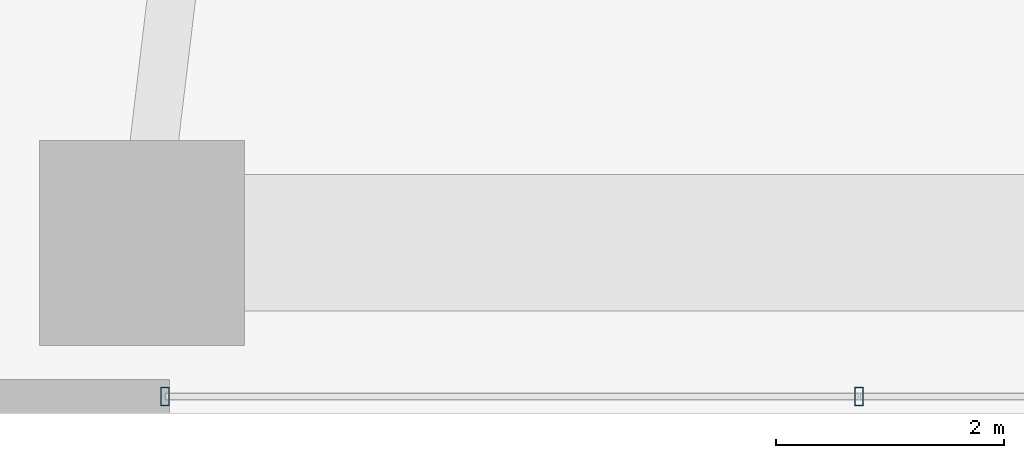
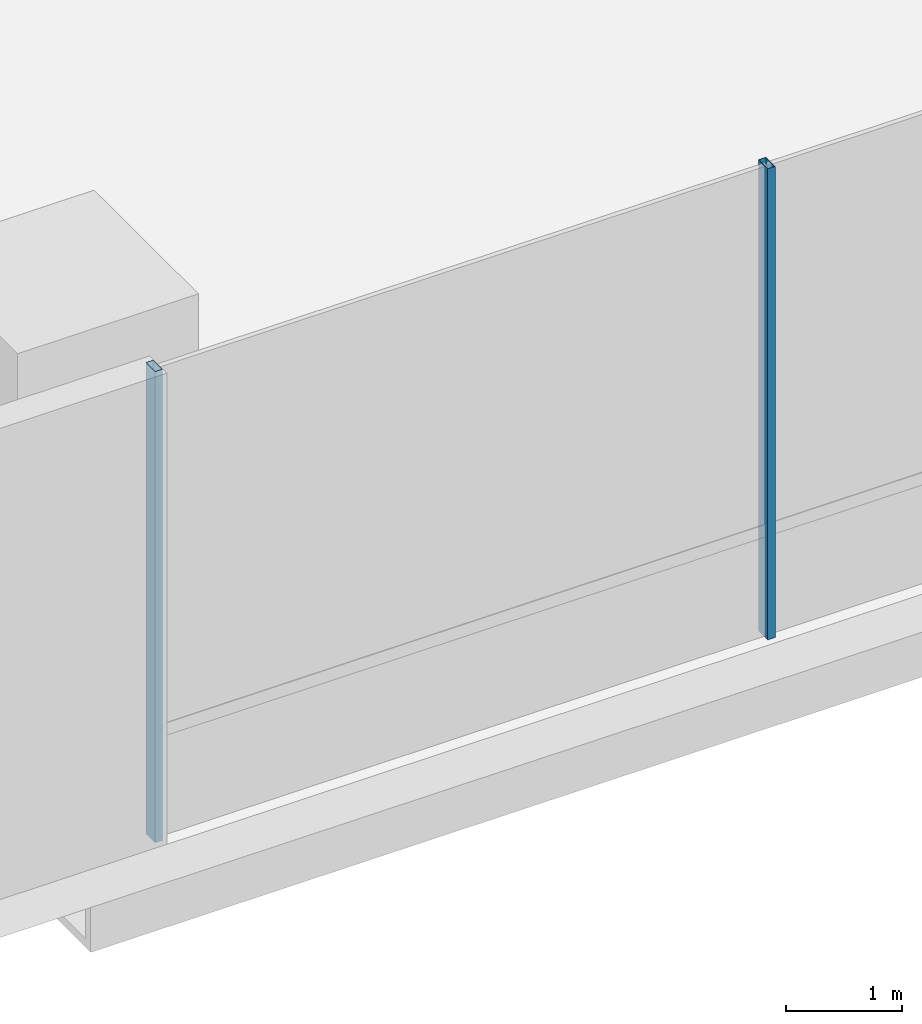
# One storey, part 2 of 41: 2 members, 1 element without a shape of its own.
"""IFC4 building model written with IfcOpenShell, lengths in metres."""

from ifc_helpers import new_model, si_unit, direction, frame, origin, origin_2d, place, context, subcontext, project, spatial, hollow_rectangle, extrude, source, transform, mapped, material, material_profile, profile_set, type_object, element, aggregate, save


model = new_model("IFC4")

# Units and contexts
model_context = context("Model", 3, precision=1e-05, world=origin(), true_north=direction((0.0, 1.0)))
body_context = subcontext(model_context, "Body", "Model", "MODEL_VIEW")
ifc_project = project(units=[si_unit("LENGTHUNIT", "METRE"), si_unit("AREAUNIT", "SQUARE_METRE"), si_unit("VOLUMEUNIT", "CUBIC_METRE"), si_unit("PLANEANGLEUNIT", "RADIAN"), si_unit("MASSUNIT", "GRAM", prefix="KILO")], contexts=[model_context])

# Site, building, storey
site_placement = place(None, origin())
site = spatial("IfcSite", under=ifc_project, at=site_placement, CompositionType="ELEMENT")
building_placement = place(site_placement, origin())
building = spatial("IfcBuilding", under=site, at=building_placement, Name="Valdorenza Pilgrim Sanctuary Tower", CompositionType="ELEMENT")
storey_placement = place(building_placement, frame((0.0, 0.0, 20.800048828125)))
storey = spatial("IfcBuildingStorey", under=building, at=storey_placement, Name="L04", CompositionType="ELEMENT", Elevation=20.800048828125)

# Curtain wall, members
ifc_material_1 = material(Name="Curtain-wall IGU glazing", Category="glass")
curtain_wall_type = type_object("IfcCurtainWallType", Name="CW-SYS-01", PredefinedType="NOTDEFINED", material=ifc_material_1)
curtain_wall_placement = place(storey_placement, origin())
curtain_wall = element("IfcCurtainWall", 1, at=curtain_wall_placement, inside=storey, type_object=curtain_wall_type, Name="L04 Curtain Wall CW-POD-L04-ARCH-CROWN", PredefinedType="NOTDEFINED")
ifc_material_2 = material(Name="Anodised aluminium AW-6060", Category="aluminium")
ifc_material_profile = material_profile(ifc_material_2, hollow_rectangle(XDim=0.074951171875, YDim=0.159912109375, WallThickness=0.00390625, at=origin_2d()), Name="ALU-M 160x75x4")
ifc_profile_set = profile_set([ifc_material_profile], Name="Anodised aluminium AW-6060")
member_type = type_object("IfcMemberType", Name="CW-MUL-01", PredefinedType="MULLION", material=ifc_profile_set)
shared_shape = source(origin(), body_context, "Body", "SweptSolid", [
    extrude(hollow_rectangle(XDim=0.074951171875, YDim=0.159912109375, WallThickness=0.00390625, at=origin_2d()), origin(), (0.0, 0.0, 1.0), 4.9599609375),
])
member_1_placement = place(storey_placement, frame((-12.199951171875, -22.85009765625, 0.0), z_axis=(0.0, 0.0, 1.0), x_axis=(1.0, 0.0, 0.0)))
member_1 = element("IfcMember", 2, at=member_1_placement, type_object=member_type, Name="CW-POD-L04-ARCH-CROWN Mullion 1", PredefinedType="MULLION", context=body_context, shape_type="MappedRepresentation", body=[
    mapped(shared_shape, transform((0.0, 0.0, 0.0), x_axis=(1.0, 0.0, 0.0), y_axis=(0.0, 1.0, 0.0), z_axis=(0.0, 0.0, 1.0), scale=1.0)),
])
member_2_placement = place(storey_placement, frame((-6.10009765625, -22.85009765625, 0.0), z_axis=(0.0, 0.0, 1.0), x_axis=(1.0, 0.0, 0.0)))
member_2 = element("IfcMember", 3, at=member_2_placement, type_object=member_type, Name="CW-POD-L04-ARCH-CROWN Mullion 2", PredefinedType="MULLION", context=body_context, shape_type="MappedRepresentation", body=[
    mapped(shared_shape, transform((0.0, 0.0, 0.0), x_axis=(1.0, 0.0, 0.0), y_axis=(0.0, 1.0, 0.0), z_axis=(0.0, 0.0, 1.0), scale=1.0)),
])
aggregate(curtain_wall, [member_1, member_2])

save(model, "model.ifc")
